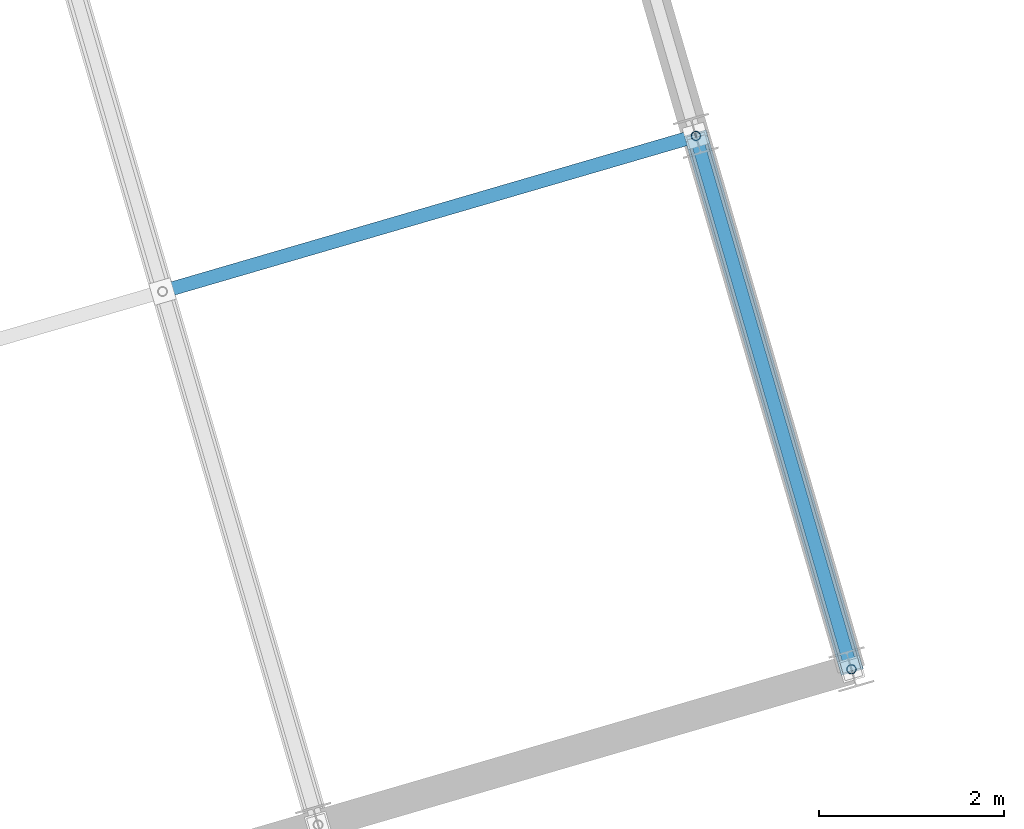
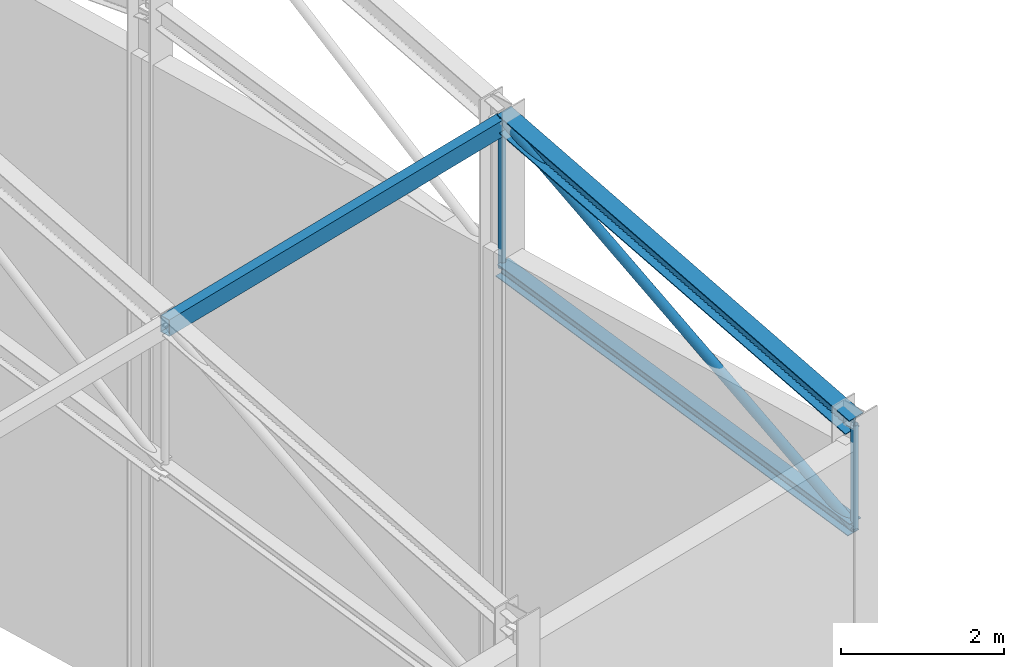
# One storey, part 167 of 248: 6 members.
"""IFC4 building model written with IfcOpenShell, lengths in metres."""

from ifc_helpers import new_model, si_unit, direction, frame, origin, origin_2d, place, context, subcontext, project, spatial, hollow_rectangle, hollow_circle, i_section, extrude, material, material_profile, profile_set, type_object, element, save


model = new_model("IFC4")

# Units and contexts
model_context = context("Model", 3, precision=1e-05, world=origin(), true_north=direction((0.0, 1.0)))
body_context = subcontext(model_context, "Body", "Model", "MODEL_VIEW")
ifc_project = project(units=[si_unit("LENGTHUNIT", "METRE"), si_unit("AREAUNIT", "SQUARE_METRE"), si_unit("VOLUMEUNIT", "CUBIC_METRE"), si_unit("PLANEANGLEUNIT", "RADIAN"), si_unit("MASSUNIT", "GRAM", prefix="KILO")], contexts=[model_context])

# Site, building, storey
site_placement = place(None, origin())
site = spatial("IfcSite", under=ifc_project, at=site_placement, CompositionType="ELEMENT")
building_placement = place(site_placement, origin())
building = spatial("IfcBuilding", under=site, at=building_placement, Name="Canggui Botanical Conservatory", CompositionType="ELEMENT")
storey_placement = place(building_placement, frame((0.0, 0.0, 5.39990234375)))
storey = spatial("IfcBuildingStorey", under=building, at=storey_placement, Name="L02", CompositionType="ELEMENT", Elevation=5.39990234375)

# Members
ifc_material = material(Name="Steel Q355B", Category="steel")
ifc_material_profile_1 = material_profile(ifc_material, hollow_rectangle(XDim=0.14990234375, YDim=0.25, WallThickness=0.008056640625, at=origin_2d()), Name="RHS 150x250x8")
ifc_profile_set_1 = profile_set([ifc_material_profile_1], Name="Steel Q355B")
member_type_1 = type_object("IfcMemberType", Name="MEM-PUR01", PredefinedType="PURLIN", material=ifc_profile_set_1)
member_1_placement = place(storey_placement, frame((93.1201171875, 104.159912109375, 11.550048828125), z_axis=(0.959989061447, 0.280037500885, 0.0), x_axis=(-0.280037500885, 0.959989061447, 0.0)))
element("IfcMember", 1, at=member_1_placement, inside=storey, type_object=member_type_1, Name="Auditorium Roof Purlin 6-1", PredefinedType="PURLIN", context=body_context, shape_type="SweptSolid", body=[
    extrude(hollow_rectangle(XDim=0.14990234375, YDim=0.25, WallThickness=0.008056640625, at=origin_2d()), origin(), (0.0, 0.0, 1.0), 5.999755859375),
])
ifc_material_profile_2 = material_profile(ifc_material, i_section(OverallWidth=0.25, OverallDepth=0.25, WebThickness=0.009033203125, FlangeThickness=0.013916015625, FilletRadius=0.01611328125, at=origin_2d()), Name="HW 250x250x9x14")
ifc_profile_set_2 = profile_set([ifc_material_profile_2], Name="Steel Q355B")
member_type_2 = type_object("IfcMemberType", Name="MEM-TC01", PredefinedType="CHORD", material=ifc_profile_set_2)
member_2_placement = place(storey_placement, frame((100.56005859375, 100.080078125, 9.9501953125), z_axis=(-0.269421810075, 0.923636844681, 0.27259286015), x_axis=(-0.959992252312, -0.280026562133, 0.0)))
element("IfcMember", 2, at=member_2_placement, inside=storey, type_object=member_type_2, Name="Auditorium Truss AT-07 Top Chord 1", PredefinedType="CHORD", context=body_context, shape_type="SweptSolid", body=[
    extrude(i_section(OverallWidth=0.25, OverallDepth=0.25, WebThickness=0.009033203125, FlangeThickness=0.013916015625, FilletRadius=0.01611328125, at=origin_2d()), origin(), (0.0, 0.0, 1.0), 6.236328125),
])
ifc_material_profile_3 = material_profile(ifc_material, i_section(OverallWidth=0.199951171875, OverallDepth=0.199951171875, WebThickness=0.008056640625, FlangeThickness=0.011962890625, FilletRadius=0.012939453125, at=origin_2d()), Name="HW 200x200x8x12")
ifc_profile_set_3 = profile_set([ifc_material_profile_3], Name="Steel Q355B")
member_type_3 = type_object("IfcMemberType", Name="MEM-TC02", PredefinedType="CHORD", material=ifc_profile_set_3)
member_3_placement = place(storey_placement, frame((100.56005859375, 100.080078125, 8.400146484375), z_axis=(-0.276216572305, 0.946930774542, 0.164397425191), x_axis=(-0.959992252312, -0.280026562133, 0.0)))
element("IfcMember", 3, at=member_3_placement, inside=storey, type_object=member_type_3, Name="Auditorium Truss AT-07 Bottom Chord 1", PredefinedType="CHORD", context=body_context, shape_type="SweptSolid", body=[
    extrude(i_section(OverallWidth=0.199951171875, OverallDepth=0.199951171875, WebThickness=0.008056640625, FlangeThickness=0.011962890625, FilletRadius=0.012939453125, at=origin_2d()), origin(), (0.0, 0.0, 1.0), 6.082763671875),
])
ifc_material_profile_4 = material_profile(ifc_material, hollow_circle(Radius=0.070068359375, WallThickness=0.006103515625, at=origin_2d()), Name="CHS 140x6")
ifc_profile_set_4 = profile_set([ifc_material_profile_4], Name="Steel Q355B")
member_type_4 = type_object("IfcMemberType", Name="MEM-TW01", PredefinedType="BRACE", material=ifc_profile_set_4)
member_4_placement = place(storey_placement, frame((100.56005859375, 100.080078125, 8.400146484375), z_axis=(-0.246225651976, 0.844115345404, 0.476279552325), x_axis=(-0.959992252312, -0.280026562133, 0.0)))
element("IfcMember", 4, at=member_4_placement, inside=storey, type_object=member_type_4, Name="Auditorium Truss AT-07 Web Diagonal 1", PredefinedType="BRACE", context=body_context, shape_type="SweptSolid", body=[
    extrude(hollow_circle(Radius=0.070068359375, WallThickness=0.006103515625, at=origin_2d()), origin(), (0.0, 0.0, 1.0), 6.82373046875),
])
ifc_material_profile_5 = material_profile(ifc_material, hollow_circle(Radius=0.051025390625, WallThickness=0.0048828125, at=origin_2d()), Name="CHS 102x5")
ifc_profile_set_5 = profile_set([ifc_material_profile_5], Name="Steel Q355B")
member_type_5 = type_object("IfcMemberType", Name="MEM-TW04", PredefinedType="BRACE", material=ifc_profile_set_5)
member_5_placement = place(storey_placement, frame((100.56005859375, 100.080078125, 8.400146484375), z_axis=(0.0, 0.0, 1.0), x_axis=(1.0, 0.0, 0.0)))
element("IfcMember", 5, at=member_5_placement, inside=storey, type_object=member_type_5, Name="Auditorium Truss AT-07 Vertical Post 1", PredefinedType="BRACE", context=body_context, shape_type="SweptSolid", body=[
    extrude(hollow_circle(Radius=0.051025390625, WallThickness=0.0048828125, at=origin_2d()), origin(), (0.0, 0.0, 1.0), 1.550048828125),
])
member_6_placement = place(storey_placement, frame((98.8798828125, 105.840087890625, 9.400146484375), z_axis=(0.0, 0.0, 1.0), x_axis=(1.0, 0.0, 0.0)))
element("IfcMember", 6, at=member_6_placement, inside=storey, type_object=member_type_5, Name="Auditorium Truss AT-07 Vertical Post 2", PredefinedType="BRACE", context=body_context, shape_type="SweptSolid", body=[
    extrude(hollow_circle(Radius=0.051025390625, WallThickness=0.0048828125, at=origin_2d()), origin(), (0.0, 0.0, 1.0), 2.25),
])

save(model, "model.ifc")
